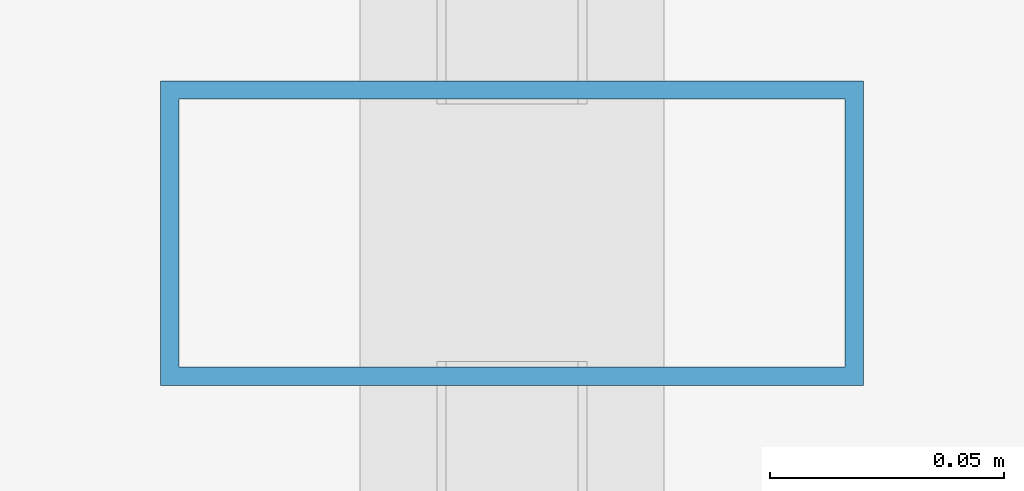
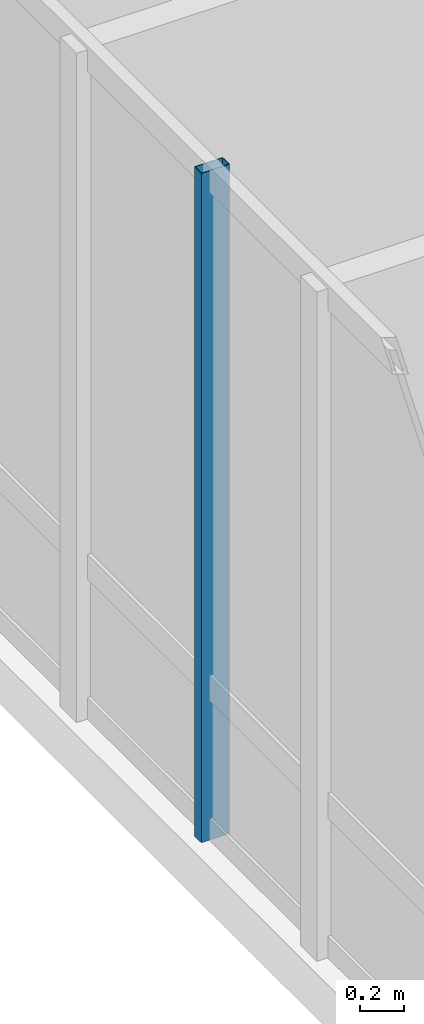
# One storey, part 13 of 29: 1 member, 1 element without a shape of its own.
"""IFC4 building model written with IfcOpenShell, lengths in metres."""

from ifc_helpers import new_model, si_unit, direction, frame, origin, origin_2d, place, context, subcontext, project, spatial, hollow_rectangle, extrude, material, layer, layer_set, material_profile, profile_set, type_object, element, aggregate, save


model = new_model("IFC4")

# Units and contexts
model_context = context("Model", 3, precision=1e-05, world=origin(), true_north=direction((0.0, 1.0)))
body_context = subcontext(model_context, "Body", "Model", "MODEL_VIEW")
ifc_project = project(units=[si_unit("LENGTHUNIT", "METRE"), si_unit("AREAUNIT", "SQUARE_METRE"), si_unit("VOLUMEUNIT", "CUBIC_METRE"), si_unit("PLANEANGLEUNIT", "RADIAN"), si_unit("MASSUNIT", "GRAM", prefix="KILO")], contexts=[model_context])

# Site, building, storey
site_placement = place(None, origin())
site = spatial("IfcSite", under=ifc_project, at=site_placement, CompositionType="ELEMENT")
building_placement = place(site_placement, origin())
building = spatial("IfcBuilding", under=site, at=building_placement, Name="Hatsunagi Terrace Concourse", CompositionType="ELEMENT")
storey_placement = place(building_placement, frame((0.0, 0.0, 277.949951171875)))
storey = spatial("IfcBuildingStorey", under=building, at=storey_placement, Name="L73", CompositionType="ELEMENT", Elevation=277.949951171875)

# Curtain wall, member
ifc_material_1 = material(Name="Anodised Aluminium Alloy 6063-T5", Category="aluminium")
ifc_layer = layer(ifc_material_1, 0.199951171875)
ifc_layer_set = layer_set([ifc_layer], Name="CrownWintergarden_CW06")
curtain_wall_type = type_object("IfcCurtainWallType", Name="CrownWintergarden_CW06", PredefinedType="NOTDEFINED", material=ifc_layer_set)
curtain_wall_placement = place(storey_placement, origin())
curtain_wall = element("IfcCurtainWall", 1, at=curtain_wall_placement, inside=storey, type_object=curtain_wall_type, Name="Unitised Curtain Wall CW-06 CW-L73-07", PredefinedType="NOTDEFINED")
ifc_material_2 = material(Name="Anodised Aluminium Alloy 6063-T5", Category="aluminium")
ifc_material_profile = material_profile(ifc_material_2, hollow_rectangle(XDim=0.06494140625, YDim=0.14990234375, WallThickness=0.00390625, at=origin_2d()), Name="ALU-MUL-150x65x4")
ifc_profile_set = profile_set([ifc_material_profile], Name="Anodised Aluminium Alloy 6063-T5")
member_type = type_object("IfcMemberType", Name="CurtainWallMullion_Crown_150x65", PredefinedType="MULLION", material=ifc_profile_set)
member_placement = place(storey_placement, frame((20.5400390625, 36.740966796875, 0.0), z_axis=(0.0, 0.0, 1.0), x_axis=(0.0, 1.0, 0.0)))
member = element("IfcMember", 2, at=member_placement, type_object=member_type, Name="Curtain Wall Mullion MUL-03", PredefinedType="MULLION", context=body_context, shape_type="SweptSolid", body=[
    extrude(hollow_rectangle(XDim=0.06494140625, YDim=0.14990234375, WallThickness=0.00390625, at=origin_2d()), origin(), (0.0, 0.0, 1.0), 3.739990234375),
])
aggregate(curtain_wall, [member])

save(model, "model.ifc")
